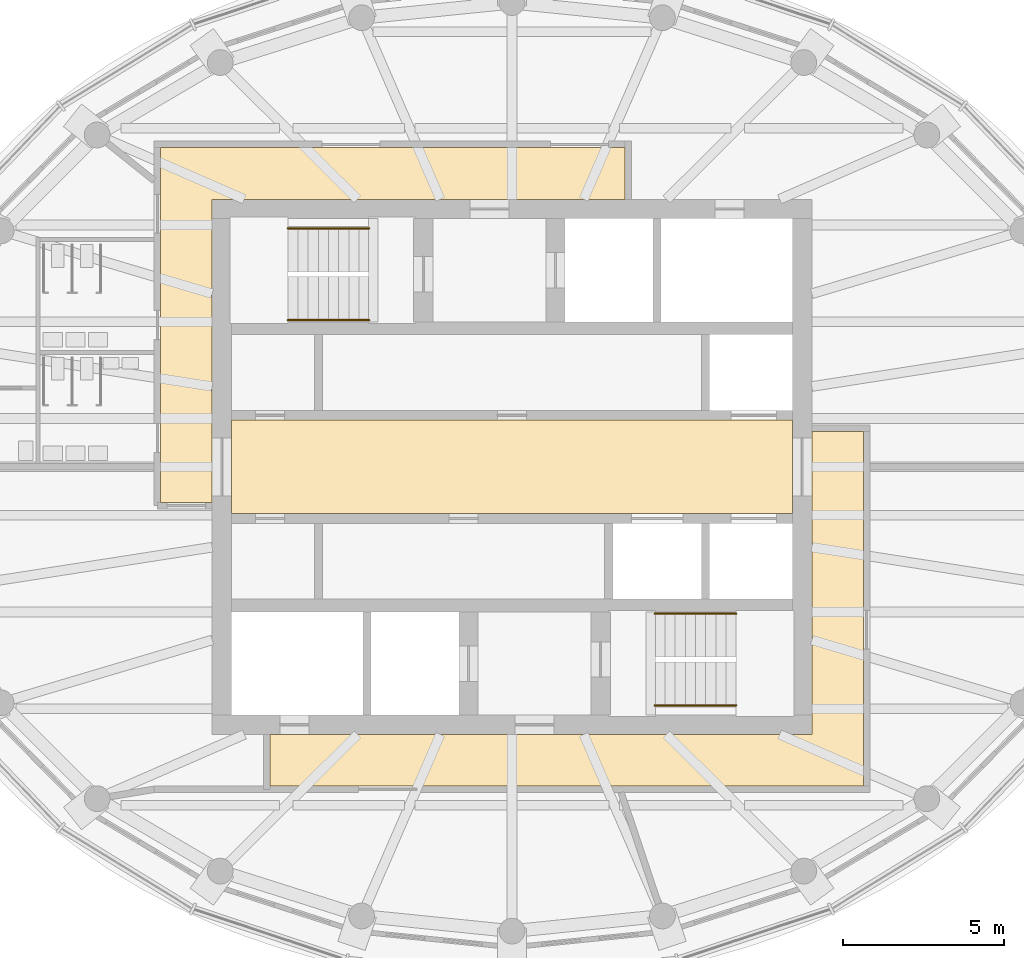
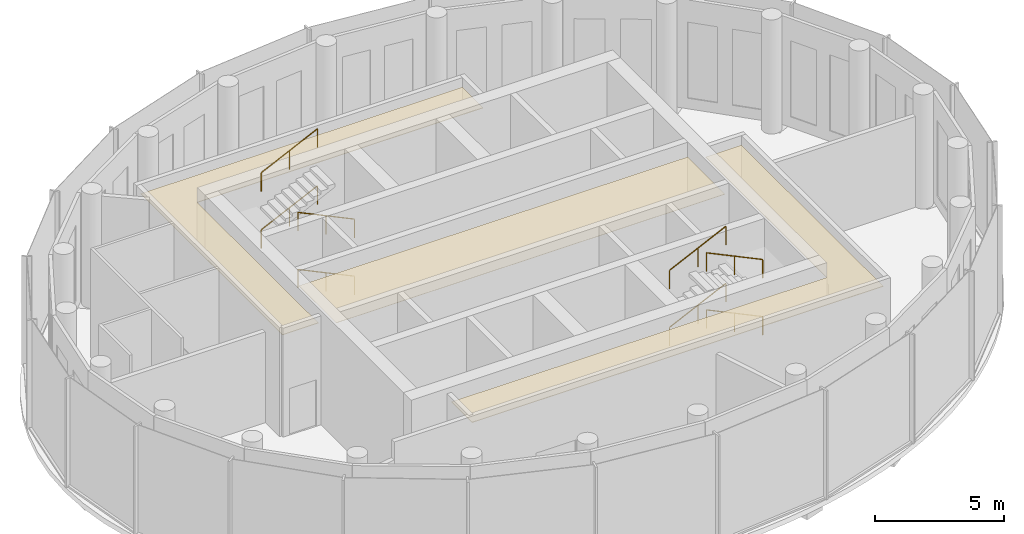
# One storey, part 9 of 11: 8 railings, 3 coverings.
"""IFC4 building model written with IfcOpenShell, lengths in metres."""

import ifcopenshell
import ifcopenshell.guid

model = None  # the IFC model being written
_history = None  # IfcOwnerHistory: only IFC2X3 demands one
_inside = {}  # id of a spatial element -> (the spatial element, [elements in it])
_under = {}  # id of a project, library or spatial element -> (it, [spatial elements below it])
_declared = {}  # id of a project -> (the project, [libraries it declares])
_typed = {}  # id of a type object -> (the type object, [elements of that type])
_made_of = {}  # id of a material, layer set ... -> (it, [elements and type objects made of it])


def new_model(schema):
    """Start an empty IFC model of exactly this schema.

    Asked for "IFC4X3", IfcOpenShell would pick the latest addendum, in which some entities
    have other attributes; the version numbers below select the first issue.
    IFC2X3 requires an IfcOwnerHistory on every rooted entity: one is made here for all.
    """
    global model, _history
    if schema == "IFC4X3":
        model = ifcopenshell.file(schema_version=(4, 3, 0, 0))
    else:
        model = ifcopenshell.file(schema=schema)
    _inside.clear()
    _under.clear()
    _declared.clear()
    _typed.clear()
    _made_of.clear()
    _history = None
    if model.schema == "IFC2X3":
        org = make("IfcOrganization", Name="unknown")
        user = make(
            "IfcPersonAndOrganization",
            ThePerson=make("IfcPerson", FamilyName="unknown"),
            TheOrganization=org,
        )
        app = make(
            "IfcApplication",
            ApplicationDeveloper=org,
            Version="unknown",
            ApplicationFullName="unknown",
            ApplicationIdentifier="unknown",
        )
        _history = make(
            "IfcOwnerHistory",
            OwningUser=user,
            OwningApplication=app,
            ChangeAction="ADDED",
            CreationDate=0,
        )
    return model


def make(cls, **values):
    """One entity of the class cls with the attributes given. An attribute that is None is left unset."""
    return model.create_entity(
        cls, **{name: value for name, value in values.items() if value is not None}
    )


def rooted(cls, **values):
    """An entity with a GlobalId (a new one), such as an element, a storey or a relation."""
    return make(cls, GlobalId=ifcopenshell.guid.new(), OwnerHistory=_history, **values)


def si_unit(unit_type, name, prefix=None):
    """IfcSIUnit, for example si_unit("LENGTHUNIT", "METRE", prefix="MILLI")."""
    return make("IfcSIUnit", UnitType=unit_type, Prefix=prefix, Name=name)


def assignment(units):
    """IfcUnitAssignment: the units of a project."""
    return None if units is None else make("IfcUnitAssignment", Units=units)


def point(xyz):
    """IfcCartesianPoint."""
    return None if xyz is None else make("IfcCartesianPoint", Coordinates=xyz)


def direction(xyz):
    """IfcDirection."""
    return None if xyz is None else make("IfcDirection", DirectionRatios=xyz)


def frame(location, z_axis=None, x_axis=None):
    """IfcAxis2Placement3D, a coordinate frame: its origin and axes. An axis left out is left unset."""
    return make(
        "IfcAxis2Placement3D",
        Location=point(location),
        Axis=direction(z_axis),
        RefDirection=direction(x_axis),
    )


def frame_2d(location, x_axis=None):
    """IfcAxis2Placement2D, a coordinate frame in the plane: its origin and x axis."""
    return make(
        "IfcAxis2Placement2D", Location=point(location), RefDirection=direction(x_axis)
    )


def origin():
    """The frame at (0, 0, 0) with its axes left unset."""
    return frame((0.0, 0.0, 0.0))


def origin_2d():
    """The frame at (0, 0) in the plane with its x axis left unset."""
    return frame_2d((0.0, 0.0))


def place(relative_to, where):
    """IfcLocalPlacement: puts the frame where relative to a parent placement (None: the world)."""
    return make(
        "IfcLocalPlacement", PlacementRelTo=relative_to, RelativePlacement=where
    )


def context(
    kind, dimensions, precision=None, world=None, true_north=None, identifier=None
):
    """IfcGeometricRepresentationContext, for example the 3D "Model" context."""
    return make(
        "IfcGeometricRepresentationContext",
        ContextIdentifier=identifier,
        ContextType=kind,
        CoordinateSpaceDimension=dimensions,
        Precision=precision,
        WorldCoordinateSystem=world,
        TrueNorth=true_north,
    )


def subcontext(parent, identifier, kind, view, scale=None):
    """IfcGeometricRepresentationSubContext, for example "Body" below "Model"."""
    return make(
        "IfcGeometricRepresentationSubContext",
        ContextIdentifier=identifier,
        ContextType=kind,
        ParentContext=parent,
        TargetScale=scale,
        TargetView=view,
    )


def project(units=None, contexts=None):
    """IfcProject with its units and contexts."""
    return rooted(
        "IfcProject",
        Name="project",
        RepresentationContexts=contexts,
        UnitsInContext=assignment(units),
    )


def spatial(cls, under=None, at=None, **own):
    """A site, building, storey or space (cls), placed at a placement, below another one or the project."""
    s = rooted(cls, ObjectPlacement=at, **own)
    if under is not None:
        _under.setdefault(under.id(), (under, []))[1].append(s)
    return s


def polyline(points):
    """IfcPolyline through the points."""
    return make("IfcPolyline", Points=[point(p) for p in points])


def profile(cls, at=None, kind="AREA", **sizes):
    """A parametric profile (cls). Its sizes go by their IFC names, for example OverallWidth=200.0."""
    return make(cls, ProfileType=kind, Position=at, **sizes)


def circle(**sizes):
    """IfcCircleProfileDef."""
    return profile("IfcCircleProfileDef", **sizes)


def outline(outer, holes=None, kind="AREA"):
    """IfcArbitraryClosedProfileDef: a profile drawn as a closed curve; with holes, ...WithVoids."""
    if holes is None:
        return make("IfcArbitraryClosedProfileDef", ProfileType=kind, OuterCurve=outer)
    return make(
        "IfcArbitraryProfileDefWithVoids",
        ProfileType=kind,
        OuterCurve=outer,
        InnerCurves=holes,
    )


def extrude(swept, where, along, depth):
    """IfcExtrudedAreaSolid: the profile swept, set in the frame where, extruded along a direction by depth."""
    return make(
        "IfcExtrudedAreaSolid",
        SweptArea=swept,
        Position=where,
        ExtrudedDirection=direction(along),
        Depth=depth,
    )


def shape(context_of_items, identifier, shape_type, items):
    """IfcShapeRepresentation: the items that make up one representation, for example the "Body"."""
    return make(
        "IfcShapeRepresentation",
        ContextOfItems=context_of_items,
        RepresentationIdentifier=identifier,
        RepresentationType=shape_type,
        Items=items,
    )


def material(Name=None, Category=None):
    """IfcMaterial."""
    return make("IfcMaterial", Name=Name, Category=Category)


def layer(
    of_material, thickness, ventilated=None, Name=None, Category=None, Priority=None
):
    """IfcMaterialLayer: one layer of a wall or slab, of a material (None: an air gap)."""
    return make(
        "IfcMaterialLayer",
        Material=of_material,
        LayerThickness=thickness,
        IsVentilated=ventilated,
        Name=Name,
        Category=Category,
        Priority=Priority,
    )


def layer_set(layers, Name=None):
    """IfcMaterialLayerSet."""
    return make("IfcMaterialLayerSet", MaterialLayers=layers, LayerSetName=Name)


def made_of(thing, what):
    """Note that an element or type object is made of a material, layer set ...; save() writes the relation."""
    if what is not None:
        _made_of.setdefault(what.id(), (what, []))[1].append(thing)
    return thing


def type_object(cls, material=None, **own):
    """A type object (cls), such as IfcWallType, which elements share."""
    return made_of(rooted(cls, **own), material)


def element(
    cls,
    number,
    at=None,
    inside=None,
    cuts=None,
    type_object=None,
    material=None,
    context=None,
    identifier="Body",
    shape_type=None,
    held_by="IfcProductDefinitionShape",
    body=None,
    shapes=None,
    **own,
):
    """One element of the class cls, such as IfcWall. Its Tag is "e" and its number.

    at: its placement. inside: the storey or other place that contains it. cuts: it is an
    opening in that element (IfcRelVoidsElement). A single representation is given by context,
    identifier, shape_type and body (its items); several are given by shapes. held_by: the class
    of the entity that holds the representations. save() writes the other relations.
    """
    e = rooted(cls, Tag="e%d" % number, ObjectPlacement=at, **own)
    if body is not None:
        shapes = [shape(context, identifier, shape_type, body)]
    if shapes is not None:
        e.Representation = make(held_by, Representations=shapes)
    if inside is not None:
        _inside.setdefault(inside.id(), (inside, []))[1].append(e)
    if cuts is not None:
        rooted(
            "IfcRelVoidsElement", RelatingBuildingElement=cuts, RelatedOpeningElement=e
        )
    if type_object is not None:
        _typed.setdefault(type_object.id(), (type_object, []))[1].append(e)
    return made_of(e, material)


def aggregate(whole, parts):
    """IfcRelAggregates: a whole, such as a stair, and the parts it consists of."""
    return rooted("IfcRelAggregates", RelatingObject=whole, RelatedObjects=parts)


def save(model, path):
    """Write the relations noted so far, then the file.

    IfcRelAggregates (storeys below a building ...), IfcRelContainedInSpatialStructure (elements
    in a storey), IfcRelDefinesByType, IfcRelAssociatesMaterial and IfcRelDeclares: one each for
    every whole, place, type object, material and project.
    """
    for whole, parts in _under.values():
        aggregate(whole, parts)
    for where, things in _inside.values():
        rooted(
            "IfcRelContainedInSpatialStructure",
            RelatedElements=things,
            RelatingStructure=where,
        )
    for kind, things in _typed.values():
        rooted("IfcRelDefinesByType", RelatedObjects=things, RelatingType=kind)
    for what, things in _made_of.values():
        rooted("IfcRelAssociatesMaterial", RelatedObjects=things, RelatingMaterial=what)
    for by, libraries in _declared.values():
        rooted("IfcRelDeclares", RelatingContext=by, RelatedDefinitions=libraries)
    model.write(path)


model = new_model("IFC4")

# Units and contexts
model_context = context("Model", 3, precision=1e-05, world=origin(), true_north=direction((0.0, 1.0)))
body_context = subcontext(model_context, "Body", "Model", "MODEL_VIEW")
ifc_project = project(units=[si_unit("LENGTHUNIT", "METRE"), si_unit("AREAUNIT", "SQUARE_METRE"), si_unit("VOLUMEUNIT", "CUBIC_METRE"), si_unit("PLANEANGLEUNIT", "RADIAN"), si_unit("MASSUNIT", "GRAM", prefix="KILO")], contexts=[model_context])

# Site, building, storey
site_placement = place(None, origin())
site = spatial("IfcSite", under=ifc_project, at=site_placement, CompositionType="ELEMENT")
building_placement = place(site_placement, origin())
building = spatial("IfcBuilding", under=site, at=building_placement, Name="Hankou Lantern Tower", CompositionType="ELEMENT")
storey_placement = place(building_placement, frame((0.0, 0.0, 237.300048828125)))
storey = spatial("IfcBuildingStorey", under=building, at=storey_placement, Name="L64", CompositionType="ELEMENT", Elevation=237.300048828125)

# Coverings
ifc_material_1 = material(Name="Black painted aluminium linear ceiling panels", Category="aluminium")
ifc_layer_1 = layer(ifc_material_1, 0.02490234375)
ifc_layer_set_1 = layer_set([ifc_layer_1], Name="Black painted aluminium linear ceiling panels")
covering_type_1 = type_object("IfcCoveringType", Name="CL1 CORRIDOR CEILING 25", PredefinedType="CEILING", material=ifc_layer_set_1)
covering_1_placement = place(storey_placement, frame((0.0, 0.0, 4.675048828125)))
element("IfcCovering", 1, at=covering_1_placement, inside=storey, type_object=covering_type_1, Name="Corridor ceiling L64", PredefinedType="CEILING", context=body_context, shape_type="SweptSolid", body=[
    extrude(outline(polyline([(-9.300048828125, 8.300048828125), (3.5, 8.300048828125), (3.5, 9.89990234375), (-10.89990234375, 9.89990234375), (-10.89990234375, -1.10009765625), (-9.300048828125, -1.10009765625), (-9.300048828125, 8.300048828125)])), origin(), (0.0, 0.0, 1.0), 0.02490234375),
])
covering_2_placement = place(storey_placement, frame((0.0, 0.0, 4.675048828125)))
element("IfcCovering", 2, at=covering_2_placement, inside=storey, type_object=covering_type_1, Name="Corridor ceiling L64", PredefinedType="CEILING", context=body_context, shape_type="SweptSolid", body=[
    extrude(outline(polyline([(10.89990234375, 1.10009765625), (9.300048828125, 1.10009765625), (9.300048828125, -8.300048828125), (-7.5, -8.300048828125), (-7.5, -9.89990234375), (10.89990234375, -9.89990234375), (10.89990234375, 1.10009765625)])), origin(), (0.0, 0.0, 1.0), 0.02490234375),
])
ifc_material_2 = material(Name="Perforated black aluminium acoustic tray ceiling", Category="aluminium")
ifc_layer_2 = layer(ifc_material_2, 0.014892578125)
ifc_layer_set_2 = layer_set([ifc_layer_2], Name="Perforated black aluminium acoustic tray ceiling")
covering_type_2 = type_object("IfcCoveringType", Name="CL2 LIFT LOBBY CEILING 15", PredefinedType="CEILING", material=ifc_layer_set_2)
covering_3_placement = place(storey_placement, frame((0.0, 0.0, 4.68505859375)))
element("IfcCovering", 3, at=covering_3_placement, inside=storey, type_object=covering_type_2, Name="Lift lobby ceiling L64", PredefinedType="CEILING", context=body_context, shape_type="SweptSolid", body=[
    extrude(outline(polyline([(-8.699951171875, -1.449951171875), (8.699951171875, -1.449951171875), (8.699951171875, 1.449951171875), (-8.699951171875, 1.449951171875), (-8.699951171875, -1.449951171875)])), origin(), (0.0, 0.0, 1.0), 0.014892578125),
])

# Railings
ifc_material_3 = material(Name="Steel handrail", Category="steel")
railing_type = type_object("IfcRailingType", Name="HR1 STAIR HANDRAIL", PredefinedType="HANDRAIL", material=ifc_material_3)
railing_1_placement = place(storey_placement, frame((-4.429931640625, 4.550048828125, 0.89990234375)))
element("IfcRailing", 4, at=railing_1_placement, inside=storey, type_object=railing_type, Name="Handrail stair STA L64 flight 1", PredefinedType="HANDRAIL", context=body_context, shape_type="SweptSolid", body=[
    extrude(circle(Radius=0.02392578125, at=origin_2d()), frame((0.0, 0.0, 0.8759765625), z_axis=(-0.902868602797, 0.0, 0.429916603638), x_axis=(0.0, -1.0, 0.0)), (0.0, 0.0, 1.0), 2.791015625),
    extrude(circle(Radius=0.02099609375, at=origin_2d()), origin(), (0.0, 0.0, 1.0), 0.851806640625),
    extrude(circle(Radius=0.02099609375, at=origin_2d()), frame((-1.260009765625, 0.0, 0.60009765625)), (0.0, 0.0, 1.0), 0.851806640625),
    extrude(circle(Radius=0.02099609375, at=origin_2d()), frame((-2.52001953125, 0.0, 1.199951171875)), (0.0, 0.0, 1.0), 0.851806640625),
])
railing_2_placement = place(storey_placement, frame((-6.949951171875, 7.39990234375, 2.25)))
element("IfcRailing", 5, at=railing_2_placement, inside=storey, type_object=railing_type, Name="Handrail stair STA L64 flight 2", PredefinedType="HANDRAIL", context=body_context, shape_type="SweptSolid", body=[
    extrude(circle(Radius=0.02392578125, at=origin_2d()), frame((0.0, 0.0, 0.8759765625), z_axis=(0.902868602797, 0.0, 0.429916603638), x_axis=(0.0, 1.0, 0.0)), (0.0, 0.0, 1.0), 2.791015625),
    extrude(circle(Radius=0.02099609375, at=origin_2d()), origin(), (0.0, 0.0, 1.0), 0.851806640625),
    extrude(circle(Radius=0.02099609375, at=origin_2d()), frame((1.260009765625, 0.0, 0.60009765625)), (0.0, 0.0, 1.0), 0.851806640625),
    extrude(circle(Radius=0.02099609375, at=origin_2d()), frame((2.52001953125, 0.0, 1.199951171875)), (0.0, 0.0, 1.0), 0.851806640625),
])
railing_3_placement = place(storey_placement, frame((-4.429931640625, 4.550048828125, 3.599853515625)))
element("IfcRailing", 6, at=railing_3_placement, inside=storey, type_object=railing_type, Name="Handrail stair STA L64 flight 3", PredefinedType="HANDRAIL", context=body_context, shape_type="SweptSolid", body=[
    extrude(circle(Radius=0.02392578125, at=origin_2d()), frame((0.0, 0.0, 0.8759765625), z_axis=(-0.902834648938, 0.0, 0.429987902943), x_axis=(0.0, -1.0, 0.0)), (0.0, 0.0, 1.0), 2.791259765625),
    extrude(circle(Radius=0.02099609375, at=origin_2d()), origin(), (0.0, 0.0, 1.0), 0.851806640625),
    extrude(circle(Radius=0.02099609375, at=origin_2d()), frame((-1.260009765625, 0.0, 0.60009765625)), (0.0, 0.0, 1.0), 0.851806640625),
    extrude(circle(Radius=0.02099609375, at=origin_2d()), frame((-2.52001953125, 0.0, 1.2001953125)), (0.0, 0.0, 1.0), 0.851806640625),
])
for number, where, name in (
    (7, (-6.949951171875, 7.39990234375, 4.949951171875), "Handrail stair STA L64 flight 4"),
    (8, (4.429931640625, -4.550048828125, 0.89990234375), "Handrail stair STB L64 flight 1"),
):
    element("IfcRailing", number, at=place(storey_placement, frame(where)), inside=storey, type_object=railing_type, Name=name, PredefinedType="HANDRAIL", context=body_context, shape_type="SweptSolid", body=[
        extrude(circle(Radius=0.02392578125, at=origin_2d()), frame((0.0, 0.0, 0.8759765625), z_axis=(0.902868602797, 0.0, 0.429916603638), x_axis=(0.0, 1.0, 0.0)), (0.0, 0.0, 1.0), 2.791015625),
        extrude(circle(Radius=0.02099609375, at=origin_2d()), origin(), (0.0, 0.0, 1.0), 0.851806640625),
        extrude(circle(Radius=0.02099609375, at=origin_2d()), frame((1.260009765625, 0.0, 0.60009765625)), (0.0, 0.0, 1.0), 0.851806640625),
        extrude(circle(Radius=0.02099609375, at=origin_2d()), frame((2.52001953125, 0.0, 1.199951171875)), (0.0, 0.0, 1.0), 0.851806640625),
    ])
railing_4_placement = place(storey_placement, frame((6.949951171875, -7.39990234375, 2.25)))
element("IfcRailing", 9, at=railing_4_placement, inside=storey, type_object=railing_type, Name="Handrail stair STB L64 flight 2", PredefinedType="HANDRAIL", context=body_context, shape_type="SweptSolid", body=[
    extrude(circle(Radius=0.02392578125, at=origin_2d()), frame((0.0, 0.0, 0.8759765625), z_axis=(-0.902868602797, 0.0, 0.429916603638), x_axis=(0.0, -1.0, 0.0)), (0.0, 0.0, 1.0), 2.791015625),
    extrude(circle(Radius=0.02099609375, at=origin_2d()), origin(), (0.0, 0.0, 1.0), 0.851806640625),
    extrude(circle(Radius=0.02099609375, at=origin_2d()), frame((-1.260009765625, 0.0, 0.60009765625)), (0.0, 0.0, 1.0), 0.851806640625),
    extrude(circle(Radius=0.02099609375, at=origin_2d()), frame((-2.52001953125, 0.0, 1.199951171875)), (0.0, 0.0, 1.0), 0.851806640625),
])
railing_5_placement = place(storey_placement, frame((4.429931640625, -4.550048828125, 3.599853515625)))
element("IfcRailing", 10, at=railing_5_placement, inside=storey, type_object=railing_type, Name="Handrail stair STB L64 flight 3", PredefinedType="HANDRAIL", context=body_context, shape_type="SweptSolid", body=[
    extrude(circle(Radius=0.02392578125, at=origin_2d()), frame((0.0, 0.0, 0.8759765625), z_axis=(0.902834648938, 0.0, 0.429987902943), x_axis=(0.0, 1.0, 0.0)), (0.0, 0.0, 1.0), 2.791259765625),
    extrude(circle(Radius=0.02099609375, at=origin_2d()), origin(), (0.0, 0.0, 1.0), 0.851806640625),
    extrude(circle(Radius=0.02099609375, at=origin_2d()), frame((1.260009765625, 0.0, 0.60009765625)), (0.0, 0.0, 1.0), 0.851806640625),
    extrude(circle(Radius=0.02099609375, at=origin_2d()), frame((2.52001953125, 0.0, 1.2001953125)), (0.0, 0.0, 1.0), 0.851806640625),
])
railing_6_placement = place(storey_placement, frame((6.949951171875, -7.39990234375, 4.949951171875)))
element("IfcRailing", 11, at=railing_6_placement, inside=storey, type_object=railing_type, Name="Handrail stair STB L64 flight 4", PredefinedType="HANDRAIL", context=body_context, shape_type="SweptSolid", body=[
    extrude(circle(Radius=0.02392578125, at=origin_2d()), frame((0.0, 0.0, 0.8759765625), z_axis=(-0.902868602797, 0.0, 0.429916603638), x_axis=(0.0, -1.0, 0.0)), (0.0, 0.0, 1.0), 2.791015625),
    extrude(circle(Radius=0.02099609375, at=origin_2d()), origin(), (0.0, 0.0, 1.0), 0.851806640625),
    extrude(circle(Radius=0.02099609375, at=origin_2d()), frame((-1.260009765625, 0.0, 0.60009765625)), (0.0, 0.0, 1.0), 0.851806640625),
    extrude(circle(Radius=0.02099609375, at=origin_2d()), frame((-2.52001953125, 0.0, 1.199951171875)), (0.0, 0.0, 1.0), 0.851806640625),
])

save(model, "model.ifc")
